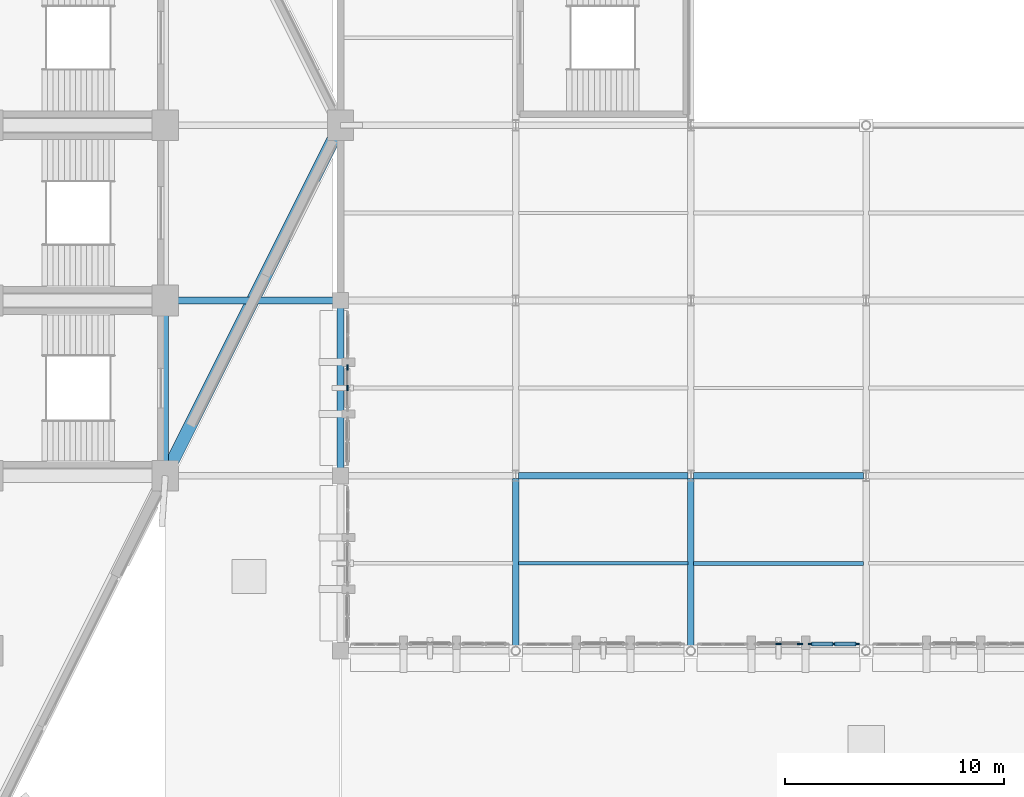
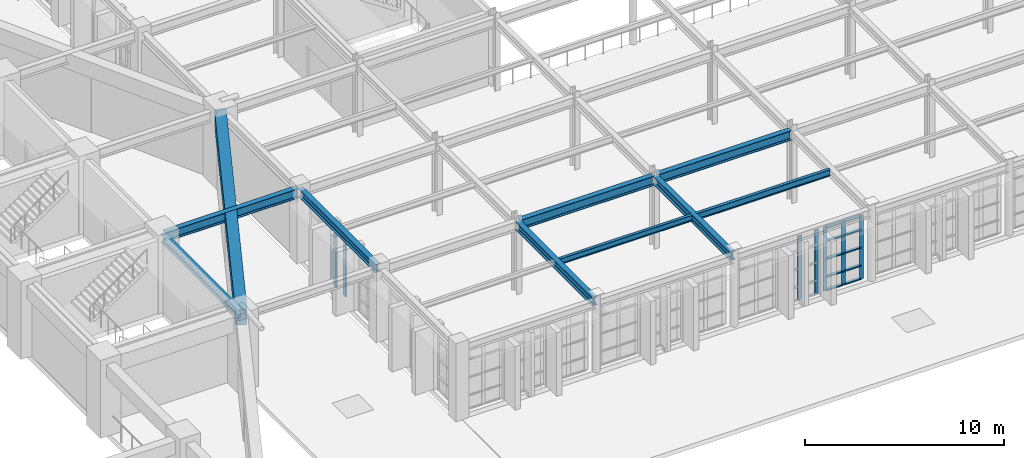
# One storey, part 35 of 155: 17 members, 10 beams, 3 elements without a shape of their own.
"""IFC4 building model written with IfcOpenShell, lengths in metres."""

from ifc_helpers import new_model, si_unit, direction, frame, origin, origin_2d, place, context, subcontext, project, spatial, rectangle, i_section, extrude, material, layer, layer_set, material_profile, profile_set, type_object, element, aggregate, save


model = new_model("IFC4")

# Units and contexts
model_context = context("Model", 3, precision=1e-05, world=origin(), true_north=direction((0.0, 1.0)))
body_context = subcontext(model_context, "Body", "Model", "MODEL_VIEW")
ifc_project = project(units=[si_unit("LENGTHUNIT", "METRE"), si_unit("AREAUNIT", "SQUARE_METRE"), si_unit("VOLUMEUNIT", "CUBIC_METRE"), si_unit("PLANEANGLEUNIT", "RADIAN"), si_unit("MASSUNIT", "GRAM", prefix="KILO")], contexts=[model_context])

# Site, building, storey
site_placement = place(None, origin())
site = spatial("IfcSite", under=ifc_project, at=site_placement, CompositionType="ELEMENT")
building_placement = place(site_placement, origin())
building = spatial("IfcBuilding", under=site, at=building_placement, Name="Tazarka Park Arena", CompositionType="ELEMENT")
storey_placement = place(building_placement, frame((0.0, 0.0, 5.39990234375)))
storey = spatial("IfcBuildingStorey", under=building, at=storey_placement, Name="L01", CompositionType="ELEMENT", Elevation=5.39990234375)

# Beams
ifc_material_1 = material(Name="Steel S355", Category="steel")
ifc_material_profile_1 = material_profile(ifc_material_1, i_section(OverallWidth=0.300048828125, OverallDepth=0.590087890625, WebThickness=0.012939453125, FlangeThickness=0.02490234375, FilletRadius=0.027099609375, at=origin_2d()), Name="Steel S355")
ifc_profile_set_1 = profile_set([ifc_material_profile_1], Name="Steel S355")
beam_type_1 = type_object("IfcBeamType", Name="BM-B-07", PredefinedType="BEAM", material=ifc_profile_set_1)
for number, where, z_axis, x_axis, name in (
    (1, (128.1201171875, 56.0, 4.125), (1.0, 0.0, 0.0), (0.0, 1.0, 0.0), "GXM-L01-16-07"),
    (2, (144.1201171875, 48.0, 4.125), (1.0, 0.0, 0.0), (0.0, 1.0, 0.0), "GXM-L01-18-06"),
    (3, (152.1201171875, 48.0, 4.125), (1.0, 0.0, 0.0), (0.0, 1.0, 0.0), "GXM-L01-19-06"),
):
    element("IfcBeam", number, at=place(storey_placement, frame(where, z_axis=z_axis, x_axis=x_axis)), inside=storey, type_object=beam_type_1, Name=name, PredefinedType="BEAM", context=body_context, shape_type="SweptSolid", body=[
        extrude(i_section(OverallWidth=0.300048828125, OverallDepth=0.590087890625, WebThickness=0.012939453125, FlangeThickness=0.02490234375, FilletRadius=0.027099609375, at=origin_2d()), origin(), (0.0, 0.0, 1.0), 7.759765625),
    ])
ifc_material_2 = material(Name="Steel S355", Category="steel")
ifc_material_profile_2 = material_profile(ifc_material_2, i_section(OverallWidth=0.300048828125, OverallDepth=0.5, WebThickness=0.014404296875, FlangeThickness=0.028076171875, FilletRadius=0.027099609375, at=origin_2d()), Name="Steel S355")
ifc_profile_set_2 = profile_set([ifc_material_profile_2], Name="Steel S355")
beam_type_2 = type_object("IfcBeamType", Name="BM-B-08", PredefinedType="BEAM", material=ifc_profile_set_2)
for number, where, z_axis, x_axis, name in (
    (4, (128.0, 48.1201171875, 4.170166015625), (0.0, 1.0, 0.0), (-1.0, 0.0, 0.0), "GYM-L01-16-06"),
    (5, (136.0, 48.1201171875, 4.170166015625), (0.0, 1.0, 0.0), (-1.0, 0.0, 0.0), "GYM-L01-17-06"),
    (6, (144.0, 40.1201171875, 4.170166015625), (0.0, 1.0, 0.0), (-1.0, 0.0, 0.0), "GYM-L01-18-05"),
    (7, (152.0, 40.1201171875, 4.170166015625), (0.0, 1.0, 0.0), (-1.0, 0.0, 0.0), "GYM-L01-19-05"),
):
    element("IfcBeam", number, at=place(storey_placement, frame(where, z_axis=z_axis, x_axis=x_axis)), inside=storey, type_object=beam_type_2, Name=name, PredefinedType="BEAM", context=body_context, shape_type="SweptSolid", body=[
        extrude(i_section(OverallWidth=0.300048828125, OverallDepth=0.5, WebThickness=0.014404296875, FlangeThickness=0.028076171875, FilletRadius=0.027099609375, at=origin_2d()), origin(), (0.0, 0.0, 1.0), 7.759765625),
    ])
ifc_material_3 = material(Name="Steel S355", Category="steel")
ifc_material_profile_3 = material_profile(ifc_material_3, i_section(OverallWidth=0.169921875, OverallDepth=0.360107421875, WebThickness=0.008056640625, FlangeThickness=0.0126953125, FilletRadius=0.01806640625, at=origin_2d()), Name="Steel S355")
ifc_profile_set_3 = profile_set([ifc_material_profile_3], Name="Steel S355")
beam_type_3 = type_object("IfcBeamType", Name="BM-J-02", PredefinedType="JOIST", material=ifc_profile_set_3)
beam_1_placement = place(storey_placement, frame((144.1201171875, 44.0, 4.239990234375), z_axis=(1.0, 0.0, 0.0), x_axis=(0.0, 1.0, 0.0)))
element("IfcBeam", 8, at=beam_1_placement, inside=storey, type_object=beam_type_3, Name="JST-L01-18-05", PredefinedType="JOIST", context=body_context, shape_type="SweptSolid", body=[
    extrude(i_section(OverallWidth=0.169921875, OverallDepth=0.360107421875, WebThickness=0.008056640625, FlangeThickness=0.0126953125, FilletRadius=0.01806640625, at=origin_2d()), origin(), (0.0, 0.0, 1.0), 7.759765625),
])
ifc_material_4 = material(Name="Steel S355", Category="steel")
ifc_material_profile_4 = material_profile(ifc_material_4, i_section(OverallWidth=0.179931640625, OverallDepth=0.39990234375, WebThickness=0.008544921875, FlangeThickness=0.013427734375, FilletRadius=0.02099609375, at=origin_2d()), Name="Steel S355")
ifc_profile_set_4 = profile_set([ifc_material_profile_4], Name="Steel S355")
beam_type_4 = type_object("IfcBeamType", Name="BM-J-03", PredefinedType="JOIST", material=ifc_profile_set_4)
beam_2_placement = place(storey_placement, frame((152.1201171875, 44.0, 4.22021484375), z_axis=(1.0, 0.0, 0.0), x_axis=(0.0, 1.0, 0.0)))
element("IfcBeam", 9, at=beam_2_placement, inside=storey, type_object=beam_type_4, Name="JST-L01-19-05", PredefinedType="JOIST", context=body_context, shape_type="SweptSolid", body=[
    extrude(i_section(OverallWidth=0.179931640625, OverallDepth=0.39990234375, WebThickness=0.008544921875, FlangeThickness=0.013427734375, FilletRadius=0.02099609375, at=origin_2d()), origin(), (0.0, 0.0, 1.0), 7.759765625),
])
ifc_material_5 = material(Name="Concrete C40/50", Category="concrete")
ifc_material_profile_5 = material_profile(ifc_material_5, rectangle(XDim=0.60009765625, YDim=0.949951171875, at=origin_2d()), Name="Concrete C40/50")
ifc_profile_set_5 = profile_set([ifc_material_profile_5], Name="Concrete C40/50")
beam_type_5 = type_object("IfcBeamType", Name="BM-SP-03", PredefinedType="SPANDREL", material=ifc_profile_set_5)
beam_3_placement = place(storey_placement, frame((128.0537109375, 48.107421875, 3.945068359375), z_axis=(0.4472135955, 0.894427191, 0.0), x_axis=(-0.894427191, 0.4472135955, 0.0)))
element("IfcBeam", 10, at=beam_3_placement, inside=storey, type_object=beam_type_5, Name="RING BEAM SP-03-L01-09", PredefinedType="SPANDREL", context=body_context, shape_type="SweptSolid", body=[
    extrude(rectangle(XDim=0.60009765625, YDim=0.949951171875, at=origin_2d()), origin(), (0.0, 0.0, 1.0), 17.6484375),
])

# Curtain wall, members
ifc_material_6 = material(Name="Aluminium and low-e glass", Category="aluminium")
ifc_layer_1 = layer(ifc_material_6, 0.179931640625, Name="Aluminium and low-e glass")
ifc_layer_set_1 = layer_set([ifc_layer_1], Name="Aluminium and low-e glass")
curtain_wall_type_1 = type_object("IfcCurtainWallType", Name="CW-22", PredefinedType="NOTDEFINED", material=ifc_layer_set_1)
curtain_wall_1_placement = place(storey_placement, origin())
curtain_wall_1 = element("IfcCurtainWall", 11, at=curtain_wall_1_placement, inside=storey, type_object=curtain_wall_type_1, Name="Curtain Wall CWA-L01-172", PredefinedType="NOTDEFINED")
ifc_material_7 = material(Name="Aluminium 6060-T66", Category="aluminium")
ifc_material_profile_6 = material_profile(ifc_material_7, rectangle(XDim=0.06494140625, YDim=0.219970703125, at=origin_2d()), Name="Aluminium 6060-T66")
ifc_profile_set_6 = profile_set([ifc_material_profile_6], Name="Aluminium 6060-T66")
member_type_1 = type_object("IfcMemberType", Name="CWM-02", PredefinedType="MULLION", material=ifc_profile_set_6)
member_1_placement = place(storey_placement, frame((159.584228515625, 40.320068359375, 0.0), z_axis=(0.0, 0.0, 1.0), x_axis=(0.0, -1.0, 0.0)))
member_1 = element("IfcMember", 12, at=member_1_placement, type_object=member_type_1, Name="CW-22 mullion 1", PredefinedType="MULLION", context=body_context, shape_type="SweptSolid", body=[
    extrude(rectangle(XDim=0.06494140625, YDim=0.219970703125, at=origin_2d()), origin(), (0.0, 0.0, 1.0), 3.91015625),
])
member_2_placement = place(storey_placement, frame((158.532958984375, 40.320068359375, 0.0), z_axis=(0.0, 0.0, 1.0), x_axis=(0.0, -1.0, 0.0)))
member_2 = element("IfcMember", 13, at=member_2_placement, type_object=member_type_1, Name="CW-22 mullion 2", PredefinedType="MULLION", context=body_context, shape_type="SweptSolid", body=[
    extrude(rectangle(XDim=0.06494140625, YDim=0.219970703125, at=origin_2d()), origin(), (0.0, 0.0, 1.0), 3.91015625),
])
member_3_placement = place(storey_placement, frame((157.4814453125, 40.320068359375, 0.0), z_axis=(0.0, 0.0, 1.0), x_axis=(0.0, -1.0, 0.0)))
member_3 = element("IfcMember", 14, at=member_3_placement, type_object=member_type_1, Name="CW-22 mullion 3", PredefinedType="MULLION", context=body_context, shape_type="SweptSolid", body=[
    extrude(rectangle(XDim=0.06494140625, YDim=0.219970703125, at=origin_2d()), origin(), (0.0, 0.0, 1.0), 3.91015625),
])

ifc_material_8 = material(Name="Aluminium and low-e glass", Category="aluminium")
ifc_layer_2 = layer(ifc_material_8, 0.179931640625, Name="Aluminium and low-e glass")
ifc_layer_set_2 = layer_set([ifc_layer_2], Name="Aluminium and low-e glass")
curtain_wall_type_2 = type_object("IfcCurtainWallType", Name="CW-11", PredefinedType="NOTDEFINED", material=ifc_layer_set_2)
curtain_wall_2_placement = place(storey_placement, origin())
curtain_wall_2 = element("IfcCurtainWall", 15, at=curtain_wall_2_placement, inside=storey, type_object=curtain_wall_type_2, Name="Curtain Wall CWA-L01-161", PredefinedType="NOTDEFINED")
ifc_material_9 = material(Name="Aluminium 6060-T66", Category="aluminium")
ifc_material_profile_7 = material_profile(ifc_material_9, rectangle(XDim=0.074951171875, YDim=0.25, at=origin_2d()), Name="Aluminium 6060-T66")
ifc_profile_set_7 = profile_set([ifc_material_profile_7], Name="Aluminium 6060-T66")
member_type_2 = type_object("IfcMemberType", Name="CWM-03", PredefinedType="MULLION", material=ifc_profile_set_7)
member_4_placement = place(storey_placement, frame((136.320068359375, 52.0, 0.0), z_axis=(0.0, 0.0, 1.0), x_axis=(-1.0, 0.0, 0.0)))
member_4 = element("IfcMember", 16, at=member_4_placement, type_object=member_type_2, Name="CW-11 mullion 2", PredefinedType="MULLION", context=body_context, shape_type="SweptSolid", body=[
    extrude(rectangle(XDim=0.074951171875, YDim=0.25, at=origin_2d()), origin(), (0.0, 0.0, 1.0), 3.900146484375),
])
member_5_placement = place(storey_placement, frame((136.320068359375, 52.93408203125, 0.0), z_axis=(0.0, 0.0, 1.0), x_axis=(-1.0, 0.0, 0.0)))
member_5 = element("IfcMember", 17, at=member_5_placement, type_object=member_type_2, Name="CW-11 mullion 3", PredefinedType="MULLION", context=body_context, shape_type="SweptSolid", body=[
    extrude(rectangle(XDim=0.074951171875, YDim=0.25, at=origin_2d()), origin(), (0.0, 0.0, 1.0), 3.900146484375),
])
aggregate(curtain_wall_2, [member_4, member_5])

ifc_material_10 = material(Name="Aluminium and low-e glass", Category="aluminium")
ifc_layer_3 = layer(ifc_material_10, 0.179931640625, Name="Aluminium and low-e glass")
ifc_layer_set_3 = layer_set([ifc_layer_3], Name="Aluminium and low-e glass")
curtain_wall_type_3 = type_object("IfcCurtainWallType", Name="CW-23", PredefinedType="NOTDEFINED", material=ifc_layer_set_3)
curtain_wall_3_placement = place(storey_placement, origin())
curtain_wall_3 = element("IfcCurtainWall", 18, at=curtain_wall_3_placement, inside=storey, type_object=curtain_wall_type_3, Name="Curtain Wall CWA-L01-173", PredefinedType="NOTDEFINED")
member_6_placement = place(storey_placement, frame((156.991455078125, 40.320068359375, 0.0), z_axis=(0.0, 0.0, 1.0), x_axis=(0.0, -1.0, 0.0)))
member_6 = element("IfcMember", 19, at=member_6_placement, type_object=member_type_2, Name="CW-23 mullion 1", PredefinedType="MULLION", context=body_context, shape_type="SweptSolid", body=[
    extrude(rectangle(XDim=0.074951171875, YDim=0.25, at=origin_2d()), origin(), (0.0, 0.0, 1.0), 3.91015625),
])
member_7_placement = place(storey_placement, frame((156.0, 40.320068359375, 0.0), z_axis=(0.0, 0.0, 1.0), x_axis=(0.0, -1.0, 0.0)))
member_7 = element("IfcMember", 20, at=member_7_placement, type_object=member_type_2, Name="CW-23 mullion 2", PredefinedType="MULLION", context=body_context, shape_type="SweptSolid", body=[
    extrude(rectangle(XDim=0.074951171875, YDim=0.25, at=origin_2d()), origin(), (0.0, 0.0, 1.0), 3.91015625),
])
aggregate(curtain_wall_3, [member_6, member_7])

# Member
ifc_material_11 = material(Name="Aluminium 6060-T66", Category="aluminium")
ifc_material_profile_8 = material_profile(ifc_material_11, rectangle(XDim=0.179931640625, YDim=0.06494140625, at=origin_2d()), Name="Aluminium 6060-T66")
ifc_profile_set_8 = profile_set([ifc_material_profile_8], Name="Aluminium 6060-T66")
member_type_3 = type_object("IfcMemberType", Name="CWT-02", PredefinedType="USERDEFINED", material=ifc_profile_set_8)
member_8_placement = place(storey_placement, frame((159.5517578125, 40.320068359375, 0.03271484375), z_axis=(-1.0, 0.0, 0.0), x_axis=(0.0, -1.0, 0.0)))
member_8 = element("IfcMember", 21, at=member_8_placement, type_object=member_type_3, Name="CW-22 transom 1.1", ObjectType="TRANSOM", PredefinedType="USERDEFINED", context=body_context, shape_type="SweptSolid", body=[
    extrude(rectangle(XDim=0.179931640625, YDim=0.06494140625, at=origin_2d()), origin(), (0.0, 0.0, 1.0), 0.986328125),
])

member_9_placement = place(storey_placement, frame((159.5517578125, 40.320068359375, 0.85009765625), z_axis=(-1.0, 0.0, 0.0), x_axis=(0.0, -1.0, 0.0)))
member_9 = element("IfcMember", 22, at=member_9_placement, type_object=member_type_3, Name="CW-22 transom 1.2", ObjectType="TRANSOM", PredefinedType="USERDEFINED", context=body_context, shape_type="SweptSolid", body=[
    extrude(rectangle(XDim=0.179931640625, YDim=0.06494140625, at=origin_2d()), origin(), (0.0, 0.0, 1.0), 0.986328125),
])

member_10_placement = place(storey_placement, frame((159.5517578125, 40.320068359375, 1.9501953125), z_axis=(-1.0, 0.0, 0.0), x_axis=(0.0, -1.0, 0.0)))
member_10 = element("IfcMember", 23, at=member_10_placement, type_object=member_type_3, Name="CW-22 transom 1.3", ObjectType="TRANSOM", PredefinedType="USERDEFINED", context=body_context, shape_type="SweptSolid", body=[
    extrude(rectangle(XDim=0.179931640625, YDim=0.06494140625, at=origin_2d()), origin(), (0.0, 0.0, 1.0), 0.986328125),
])

member_11_placement = place(storey_placement, frame((159.5517578125, 40.320068359375, 3.050048828125), z_axis=(-1.0, 0.0, 0.0), x_axis=(0.0, -1.0, 0.0)))
member_11 = element("IfcMember", 24, at=member_11_placement, type_object=member_type_3, Name="CW-22 transom 1.4", ObjectType="TRANSOM", PredefinedType="USERDEFINED", context=body_context, shape_type="SweptSolid", body=[
    extrude(rectangle(XDim=0.179931640625, YDim=0.06494140625, at=origin_2d()), origin(), (0.0, 0.0, 1.0), 0.986328125),
])

member_12_placement = place(storey_placement, frame((159.5517578125, 40.320068359375, 3.877685546875), z_axis=(-1.0, 0.0, 0.0), x_axis=(0.0, -1.0, 0.0)))
member_12 = element("IfcMember", 25, at=member_12_placement, type_object=member_type_3, Name="CW-22 transom 1.5", ObjectType="TRANSOM", PredefinedType="USERDEFINED", context=body_context, shape_type="SweptSolid", body=[
    extrude(rectangle(XDim=0.179931640625, YDim=0.06494140625, at=origin_2d()), origin(), (0.0, 0.0, 1.0), 0.986328125),
])

member_13_placement = place(storey_placement, frame((158.500244140625, 40.320068359375, 0.03271484375), z_axis=(-1.0, 0.0, 0.0), x_axis=(0.0, -1.0, 0.0)))
member_13 = element("IfcMember", 26, at=member_13_placement, type_object=member_type_3, Name="CW-22 transom 2.1", ObjectType="TRANSOM", PredefinedType="USERDEFINED", context=body_context, shape_type="SweptSolid", body=[
    extrude(rectangle(XDim=0.179931640625, YDim=0.06494140625, at=origin_2d()), origin(), (0.0, 0.0, 1.0), 0.986328125),
])

member_14_placement = place(storey_placement, frame((158.500244140625, 40.320068359375, 0.85009765625), z_axis=(-1.0, 0.0, 0.0), x_axis=(0.0, -1.0, 0.0)))
member_14 = element("IfcMember", 27, at=member_14_placement, type_object=member_type_3, Name="CW-22 transom 2.2", ObjectType="TRANSOM", PredefinedType="USERDEFINED", context=body_context, shape_type="SweptSolid", body=[
    extrude(rectangle(XDim=0.179931640625, YDim=0.06494140625, at=origin_2d()), origin(), (0.0, 0.0, 1.0), 0.986328125),
])

member_15_placement = place(storey_placement, frame((158.500244140625, 40.320068359375, 1.9501953125), z_axis=(-1.0, 0.0, 0.0), x_axis=(0.0, -1.0, 0.0)))
member_15 = element("IfcMember", 28, at=member_15_placement, type_object=member_type_3, Name="CW-22 transom 2.3", ObjectType="TRANSOM", PredefinedType="USERDEFINED", context=body_context, shape_type="SweptSolid", body=[
    extrude(rectangle(XDim=0.179931640625, YDim=0.06494140625, at=origin_2d()), origin(), (0.0, 0.0, 1.0), 0.986328125),
])

member_16_placement = place(storey_placement, frame((158.500244140625, 40.320068359375, 3.050048828125), z_axis=(-1.0, 0.0, 0.0), x_axis=(0.0, -1.0, 0.0)))
member_16 = element("IfcMember", 29, at=member_16_placement, type_object=member_type_3, Name="CW-22 transom 2.4", ObjectType="TRANSOM", PredefinedType="USERDEFINED", context=body_context, shape_type="SweptSolid", body=[
    extrude(rectangle(XDim=0.179931640625, YDim=0.06494140625, at=origin_2d()), origin(), (0.0, 0.0, 1.0), 0.986328125),
])

member_17_placement = place(storey_placement, frame((158.500244140625, 40.320068359375, 3.877685546875), z_axis=(-1.0, 0.0, 0.0), x_axis=(0.0, -1.0, 0.0)))
member_17 = element("IfcMember", 30, at=member_17_placement, type_object=member_type_3, Name="CW-22 transom 2.5", ObjectType="TRANSOM", PredefinedType="USERDEFINED", context=body_context, shape_type="SweptSolid", body=[
    extrude(rectangle(XDim=0.179931640625, YDim=0.06494140625, at=origin_2d()), origin(), (0.0, 0.0, 1.0), 0.986328125),
])

aggregate(curtain_wall_1, [member_1, member_2, member_3, member_8, member_9, member_10, member_11, member_12, member_13, member_14, member_15, member_16, member_17])

save(model, "model.ifc")
